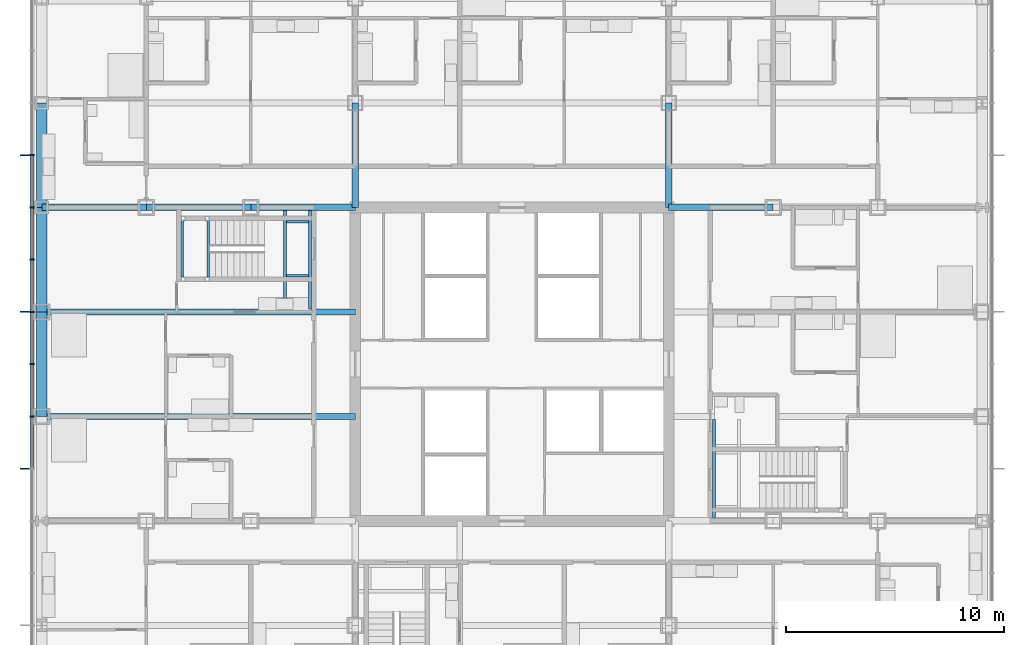
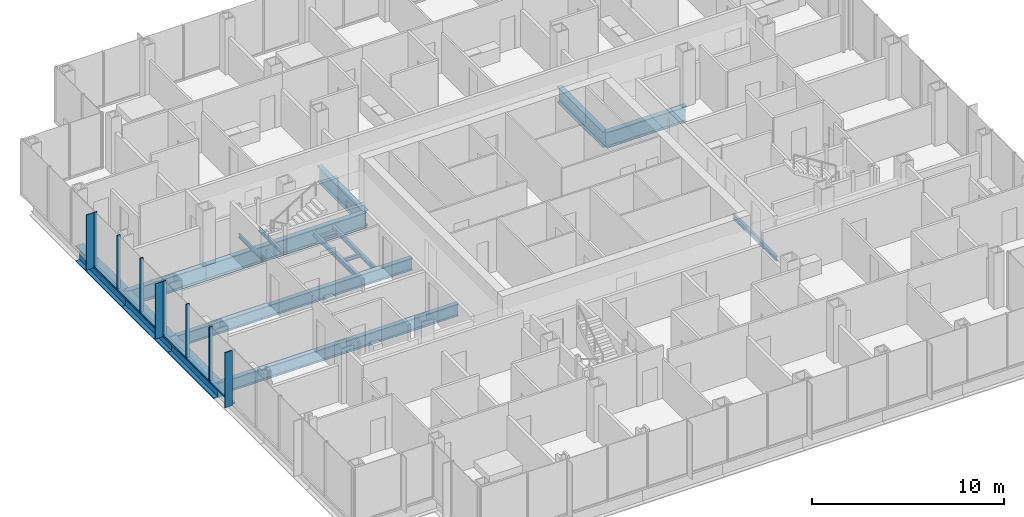
# One storey, part 8 of 21: 18 beams, 15 members, 1 element without a shape of its own.
"""IFC4 building model written with IfcOpenShell, lengths in metres."""

from ifc_helpers import new_model, si_unit, direction, frame, origin, origin_2d, place, context, subcontext, project, spatial, rectangle, i_section, extrude, material, material_profile, profile_set, type_object, element, aggregate, save


model = new_model("IFC4")

# Units and contexts
model_context = context("Model", 3, precision=1e-05, world=origin(), true_north=direction((0.0, 1.0)))
body_context = subcontext(model_context, "Body", "Model", "MODEL_VIEW")
ifc_project = project(units=[si_unit("LENGTHUNIT", "METRE"), si_unit("AREAUNIT", "SQUARE_METRE"), si_unit("VOLUMEUNIT", "CUBIC_METRE"), si_unit("PLANEANGLEUNIT", "RADIAN"), si_unit("MASSUNIT", "GRAM", prefix="KILO")], contexts=[model_context])

# Site, building, storey
site_placement = place(None, origin())
site = spatial("IfcSite", under=ifc_project, at=site_placement, CompositionType="ELEMENT")
building_placement = place(site_placement, origin())
building = spatial("IfcBuilding", under=site, at=building_placement, Name="Kvirike Care Tower", CompositionType="ELEMENT")
storey_placement = place(building_placement, frame((0.0, 0.0, 34.0)))
storey = spatial("IfcBuildingStorey", under=building, at=storey_placement, Name="L08", CompositionType="ELEMENT", Elevation=34.0)

# Curtain wall, members
ifc_material_1 = material(Name="Anodised aluminium stick system", Category="aluminium")
curtain_wall_type = type_object("IfcCurtainWallType", Name="CW-A STICK CURTAIN WALL", PredefinedType="NOTDEFINED", material=ifc_material_1)
curtain_wall_placement = place(storey_placement, origin())
curtain_wall = element("IfcCurtainWall", 1, at=curtain_wall_placement, inside=storey, type_object=curtain_wall_type, Name="Curtain wall L08 face 1", PredefinedType="NOTDEFINED")
ifc_material_2 = material(Name="Bronze anodised aluminium fin", Category="aluminium")
ifc_material_profile_1 = material_profile(ifc_material_2, rectangle(XDim=0.050048828125, YDim=0.449951171875, at=origin_2d()), Name="BRONZE FIN 450")
ifc_profile_set_1 = profile_set([ifc_material_profile_1], Name="Bronze anodised aluminium fin")
member_type_1 = type_object("IfcMemberType", Name="BRONZE FIN 450", PredefinedType="USERDEFINED", material=ifc_profile_set_1)
member_1_placement = place(storey_placement, frame((-0.77490234375, 45.60009765625, 0.0), z_axis=(0.0, 0.0, 1.0), x_axis=(0.0, -1.0, 0.0)))
member_1 = element("IfcMember", 2, at=member_1_placement, type_object=member_type_1, Name="Bronze fin L08 face 1.4", ObjectType="FIN", PredefinedType="USERDEFINED", context=body_context, shape_type="SweptSolid", body=[
    extrude(rectangle(XDim=0.050048828125, YDim=0.449951171875, at=origin_2d()), origin(), (0.0, 0.0, 1.0), 3.5),
])
member_2_placement = place(storey_placement, frame((-0.77490234375, 38.39990234375, 0.0), z_axis=(0.0, 0.0, 1.0), x_axis=(0.0, -1.0, 0.0)))
member_2 = element("IfcMember", 3, at=member_2_placement, type_object=member_type_1, Name="Bronze fin L08 face 1.7", ObjectType="FIN", PredefinedType="USERDEFINED", context=body_context, shape_type="SweptSolid", body=[
    extrude(rectangle(XDim=0.050048828125, YDim=0.449951171875, at=origin_2d()), origin(), (0.0, 0.0, 1.0), 3.5),
])
member_3_placement = place(storey_placement, frame((-0.77490234375, 31.199951171875, 0.0), z_axis=(0.0, 0.0, 1.0), x_axis=(0.0, -1.0, 0.0)))
member_3 = element("IfcMember", 4, at=member_3_placement, type_object=member_type_1, Name="Bronze fin L08 face 1.10", ObjectType="FIN", PredefinedType="USERDEFINED", context=body_context, shape_type="SweptSolid", body=[
    extrude(rectangle(XDim=0.050048828125, YDim=0.449951171875, at=origin_2d()), origin(), (0.0, 0.0, 1.0), 3.5),
])
ifc_material_3 = material(Name="Bronze anodised aluminium mullion", Category="aluminium")
ifc_material_profile_2 = material_profile(ifc_material_3, rectangle(XDim=0.06494140625, YDim=0.199951171875, at=origin_2d()), Name="CW-A MULLION 65x200")
ifc_profile_set_2 = profile_set([ifc_material_profile_2], Name="Bronze anodised aluminium mullion")
member_type_2 = type_object("IfcMemberType", Name="CW-A MULLION 65x200", PredefinedType="MULLION", material=ifc_profile_set_2)
member_4_placement = place(storey_placement, frame((-0.449951171875, 45.60009765625, 0.0), z_axis=(0.0, 0.0, 1.0), x_axis=(0.0, -1.0, 0.0)))
member_4 = element("IfcMember", 5, at=member_4_placement, type_object=member_type_2, Name="CW-A mullion L08 face 1.4", PredefinedType="MULLION", context=body_context, shape_type="SweptSolid", body=[
    extrude(rectangle(XDim=0.06494140625, YDim=0.199951171875, at=origin_2d()), origin(), (0.0, 0.0, 1.0), 3.5),
])
member_5_placement = place(storey_placement, frame((-0.449951171875, 43.199951171875, 0.0), z_axis=(0.0, 0.0, 1.0), x_axis=(0.0, -1.0, 0.0)))
member_5 = element("IfcMember", 6, at=member_5_placement, type_object=member_type_2, Name="CW-A mullion L08 face 1.5", PredefinedType="MULLION", context=body_context, shape_type="SweptSolid", body=[
    extrude(rectangle(XDim=0.06494140625, YDim=0.199951171875, at=origin_2d()), origin(), (0.0, 0.0, 1.0), 3.5),
])
member_6_placement = place(storey_placement, frame((-0.449951171875, 40.800048828125, 0.0), z_axis=(0.0, 0.0, 1.0), x_axis=(0.0, -1.0, 0.0)))
member_6 = element("IfcMember", 7, at=member_6_placement, type_object=member_type_2, Name="CW-A mullion L08 face 1.6", PredefinedType="MULLION", context=body_context, shape_type="SweptSolid", body=[
    extrude(rectangle(XDim=0.06494140625, YDim=0.199951171875, at=origin_2d()), origin(), (0.0, 0.0, 1.0), 3.5),
])
member_7_placement = place(storey_placement, frame((-0.449951171875, 38.39990234375, 0.0), z_axis=(0.0, 0.0, 1.0), x_axis=(0.0, -1.0, 0.0)))
member_7 = element("IfcMember", 8, at=member_7_placement, type_object=member_type_2, Name="CW-A mullion L08 face 1.7", PredefinedType="MULLION", context=body_context, shape_type="SweptSolid", body=[
    extrude(rectangle(XDim=0.06494140625, YDim=0.199951171875, at=origin_2d()), origin(), (0.0, 0.0, 1.0), 3.5),
])
member_8_placement = place(storey_placement, frame((-0.449951171875, 36.0, 0.0), z_axis=(0.0, 0.0, 1.0), x_axis=(0.0, -1.0, 0.0)))
member_8 = element("IfcMember", 9, at=member_8_placement, type_object=member_type_2, Name="CW-A mullion L08 face 1.8", PredefinedType="MULLION", context=body_context, shape_type="SweptSolid", body=[
    extrude(rectangle(XDim=0.06494140625, YDim=0.199951171875, at=origin_2d()), origin(), (0.0, 0.0, 1.0), 3.5),
])
member_9_placement = place(storey_placement, frame((-0.449951171875, 33.60009765625, 0.0), z_axis=(0.0, 0.0, 1.0), x_axis=(0.0, -1.0, 0.0)))
member_9 = element("IfcMember", 10, at=member_9_placement, type_object=member_type_2, Name="CW-A mullion L08 face 1.9", PredefinedType="MULLION", context=body_context, shape_type="SweptSolid", body=[
    extrude(rectangle(XDim=0.06494140625, YDim=0.199951171875, at=origin_2d()), origin(), (0.0, 0.0, 1.0), 3.5),
])
ifc_material_4 = material(Name="Bronze anodised aluminium transom", Category="aluminium")
ifc_material_profile_3 = material_profile(ifc_material_4, rectangle(XDim=0.199951171875, YDim=0.10009765625, at=origin_2d()), Name="CW-A TRANSOM 200x100")
ifc_profile_set_3 = profile_set([ifc_material_profile_3], Name="Bronze anodised aluminium transom")
member_type_3 = type_object("IfcMemberType", Name="CW-A TRANSOM 200x100", PredefinedType="USERDEFINED", material=ifc_profile_set_3)
member_10_placement = place(storey_placement, frame((-0.449951171875, 45.5673828125, 0.050048828125), z_axis=(0.0, -1.0, 0.0), x_axis=(1.0, 0.0, 0.0)))
member_10 = element("IfcMember", 11, at=member_10_placement, type_object=member_type_3, Name="CW-A sill transom L08 face 1.4", ObjectType="TRANSOM", PredefinedType="USERDEFINED", context=body_context, shape_type="SweptSolid", body=[
    extrude(rectangle(XDim=0.199951171875, YDim=0.10009765625, at=origin_2d()), origin(), (0.0, 0.0, 1.0), 2.3349609375),
])
member_11_placement = place(storey_placement, frame((-0.449951171875, 43.16748046875, 0.050048828125), z_axis=(0.0, -1.0, 0.0), x_axis=(1.0, 0.0, 0.0)))
member_11 = element("IfcMember", 12, at=member_11_placement, type_object=member_type_3, Name="CW-A sill transom L08 face 1.5", ObjectType="TRANSOM", PredefinedType="USERDEFINED", context=body_context, shape_type="SweptSolid", body=[
    extrude(rectangle(XDim=0.199951171875, YDim=0.10009765625, at=origin_2d()), origin(), (0.0, 0.0, 1.0), 2.3349609375),
])
member_12_placement = place(storey_placement, frame((-0.449951171875, 40.767578125, 0.050048828125), z_axis=(0.0, -1.0, 0.0), x_axis=(1.0, 0.0, 0.0)))
member_12 = element("IfcMember", 13, at=member_12_placement, type_object=member_type_3, Name="CW-A sill transom L08 face 1.6", ObjectType="TRANSOM", PredefinedType="USERDEFINED", context=body_context, shape_type="SweptSolid", body=[
    extrude(rectangle(XDim=0.199951171875, YDim=0.10009765625, at=origin_2d()), origin(), (0.0, 0.0, 1.0), 2.3349609375),
])
member_13_placement = place(storey_placement, frame((-0.449951171875, 38.367431640625, 0.050048828125), z_axis=(0.0, -1.0, 0.0), x_axis=(1.0, 0.0, 0.0)))
member_13 = element("IfcMember", 14, at=member_13_placement, type_object=member_type_3, Name="CW-A sill transom L08 face 1.7", ObjectType="TRANSOM", PredefinedType="USERDEFINED", context=body_context, shape_type="SweptSolid", body=[
    extrude(rectangle(XDim=0.199951171875, YDim=0.10009765625, at=origin_2d()), origin(), (0.0, 0.0, 1.0), 2.3349609375),
])
member_14_placement = place(storey_placement, frame((-0.449951171875, 35.967529296875, 0.050048828125), z_axis=(0.0, -1.0, 0.0), x_axis=(1.0, 0.0, 0.0)))
member_14 = element("IfcMember", 15, at=member_14_placement, type_object=member_type_3, Name="CW-A sill transom L08 face 1.8", ObjectType="TRANSOM", PredefinedType="USERDEFINED", context=body_context, shape_type="SweptSolid", body=[
    extrude(rectangle(XDim=0.199951171875, YDim=0.10009765625, at=origin_2d()), origin(), (0.0, 0.0, 1.0), 2.3349609375),
])
member_15_placement = place(storey_placement, frame((-0.449951171875, 33.5673828125, 0.050048828125), z_axis=(0.0, -1.0, 0.0), x_axis=(1.0, 0.0, 0.0)))
member_15 = element("IfcMember", 16, at=member_15_placement, type_object=member_type_3, Name="CW-A sill transom L08 face 1.9", ObjectType="TRANSOM", PredefinedType="USERDEFINED", context=body_context, shape_type="SweptSolid", body=[
    extrude(rectangle(XDim=0.199951171875, YDim=0.10009765625, at=origin_2d()), origin(), (0.0, 0.0, 1.0), 2.3349609375),
])
aggregate(curtain_wall, [member_4, member_1, member_5, member_6, member_7, member_2, member_8, member_9, member_3, member_10, member_11, member_12, member_13, member_14, member_15])

# Beams
ifc_material_5 = material(Name="Steel S355", Category="steel")
ifc_material_profile_4 = material_profile(ifc_material_5, i_section(OverallWidth=0.26806640625, OverallDepth=0.77001953125, WebThickness=0.015625, FlangeThickness=0.025390625, FilletRadius=0.01708984375, at=origin_2d()), Name="IPE 750x196")
ifc_profile_set_4 = profile_set([ifc_material_profile_4], Name="Steel S355")
beam_type_1 = type_object("IfcBeamType", Name="FLOOR BEAM IPE 750x196", PredefinedType="BEAM", material=ifc_profile_set_4)
for number, where, z_axis, x_axis, name in (
    (17, (0.0, 33.60009765625, -0.554931640625), (1.0, 0.0, 0.0), (0.0, 1.0, 0.0), "Floor Beam H3-H6 L08"),
    (18, (0.0, 38.39990234375, -0.554931640625), (1.0, 0.0, 0.0), (0.0, 1.0, 0.0), "Floor Beam J3-J6 L08"),
):
    element("IfcBeam", number, at=place(storey_placement, frame(where, z_axis=z_axis, x_axis=x_axis)), inside=storey, type_object=beam_type_1, Name=name, PredefinedType="BEAM", context=body_context, shape_type="SweptSolid", body=[
        extrude(i_section(OverallWidth=0.26806640625, OverallDepth=0.77001953125, WebThickness=0.015625, FlangeThickness=0.025390625, FilletRadius=0.01708984375, at=origin_2d()), origin(), (0.0, 0.0, 1.0), 14.39990234375),
    ])
ifc_material_6 = material(Name="Steel S355", Category="steel")
ifc_material_profile_5 = material_profile(ifc_material_6, i_section(OverallWidth=0.300048828125, OverallDepth=1.0, WebThickness=0.01904296875, FlangeThickness=0.035888671875, FilletRadius=0.030029296875, at=origin_2d()), Name="HE 1000 B")
ifc_profile_set_5 = profile_set([ifc_material_profile_5], Name="Steel S355")
beam_type_2 = type_object("IfcBeamType", Name="FRAME BEAM HE 1000 B", PredefinedType="BEAM", material=ifc_profile_set_5)
for number, where, z_axis, x_axis, name in (
    (19, (0.0, 43.199951171875, -0.669921875), (1.0, 0.0, 0.0), (0.0, 1.0, 0.0), "Frame Beam K3-K4 L08"),
    (20, (4.800048828125, 43.199951171875, -0.669921875), (1.0, 0.0, 0.0), (0.0, 1.0, 0.0), "Frame Beam K4-K5 L08"),
):
    element("IfcBeam", number, at=place(storey_placement, frame(where, z_axis=z_axis, x_axis=x_axis)), inside=storey, type_object=beam_type_2, Name=name, PredefinedType="BEAM", context=body_context, shape_type="SweptSolid", body=[
        extrude(i_section(OverallWidth=0.300048828125, OverallDepth=1.0, WebThickness=0.01904296875, FlangeThickness=0.035888671875, FilletRadius=0.030029296875, at=origin_2d()), origin(), (0.0, 0.0, 1.0), 4.800048828125),
    ])
beam_1_placement = place(storey_placement, frame((9.60009765625, 43.199951171875, -0.669921875), z_axis=(1.0, 0.0, 0.0), x_axis=(0.0, 1.0, 0.0)))
element("IfcBeam", 21, at=beam_1_placement, inside=storey, type_object=beam_type_2, Name="Frame Beam K5-K6 L08", PredefinedType="BEAM", context=body_context, shape_type="SweptSolid", body=[
    extrude(i_section(OverallWidth=0.300048828125, OverallDepth=1.0, WebThickness=0.01904296875, FlangeThickness=0.035888671875, FilletRadius=0.030029296875, at=origin_2d()), origin(), (0.0, 0.0, 1.0), 4.7998046875),
])
for number, where, z_axis, x_axis, name in (
    (22, (28.800048828125, 43.199951171875, -0.669921875), (1.0, 0.0, 0.0), (0.0, 1.0, 0.0), "Frame Beam K9-K10 L08"),
    (23, (14.39990234375, 43.199951171875, -0.669921875), (0.0, 1.0, 0.0), (-1.0, 0.0, 0.0), "Frame Beam K6-L6 L08"),
    (24, (28.800048828125, 43.199951171875, -0.669921875), (0.0, 1.0, 0.0), (-1.0, 0.0, 0.0), "Frame Beam K9-L9 L08"),
):
    element("IfcBeam", number, at=place(storey_placement, frame(where, z_axis=z_axis, x_axis=x_axis)), inside=storey, type_object=beam_type_2, Name=name, PredefinedType="BEAM", context=body_context, shape_type="SweptSolid", body=[
        extrude(i_section(OverallWidth=0.300048828125, OverallDepth=1.0, WebThickness=0.01904296875, FlangeThickness=0.035888671875, FilletRadius=0.030029296875, at=origin_2d()), origin(), (0.0, 0.0, 1.0), 4.800048828125),
    ])
ifc_material_7 = material(Name="Steel S355", Category="steel")
ifc_material_profile_6 = material_profile(ifc_material_7, i_section(OverallWidth=0.5, OverallDepth=1.0, WebThickness=0.030029296875, FlangeThickness=0.06005859375, at=origin_2d()), Name="PG 1000x500x30x60")
ifc_profile_set_6 = profile_set([ifc_material_profile_6], Name="Steel S355")
beam_type_3 = type_object("IfcBeamType", Name="SPANDREL PG 1000x500x30x60", PredefinedType="SPANDREL", material=ifc_profile_set_6)
beam_2_placement = place(storey_placement, frame((0.0, 33.60009765625, -0.669921875), z_axis=(0.0, 1.0, 0.0), x_axis=(-1.0, 0.0, 0.0)))
element("IfcBeam", 25, at=beam_2_placement, inside=storey, type_object=beam_type_3, Name="Spandrel H3-J3 L08", PredefinedType="SPANDREL", context=body_context, shape_type="SweptSolid", body=[
    extrude(i_section(OverallWidth=0.5, OverallDepth=1.0, WebThickness=0.030029296875, FlangeThickness=0.06005859375, at=origin_2d()), origin(), (0.0, 0.0, 1.0), 4.7998046875),
])
for number, where, z_axis, x_axis, name in (
    (26, (0.0, 38.39990234375, -0.669921875), (0.0, 1.0, 0.0), (-1.0, 0.0, 0.0), "Spandrel J3-K3 L08"),
    (27, (0.0, 43.199951171875, -0.669921875), (0.0, 1.0, 0.0), (-1.0, 0.0, 0.0), "Spandrel K3-L3 L08"),
):
    element("IfcBeam", number, at=place(storey_placement, frame(where, z_axis=z_axis, x_axis=x_axis)), inside=storey, type_object=beam_type_3, Name=name, PredefinedType="SPANDREL", context=body_context, shape_type="SweptSolid", body=[
        extrude(i_section(OverallWidth=0.5, OverallDepth=1.0, WebThickness=0.030029296875, FlangeThickness=0.06005859375, at=origin_2d()), origin(), (0.0, 0.0, 1.0), 4.800048828125),
    ])
ifc_material_8 = material(Name="Steel S355", Category="steel")
ifc_material_profile_7 = material_profile(ifc_material_8, i_section(OverallWidth=0.1201171875, OverallDepth=0.239990234375, WebThickness=0.006103515625, FlangeThickness=0.009765625, FilletRadius=0.014892578125, at=origin_2d()), Name="IPE 240")
ifc_profile_set_7 = profile_set([ifc_material_profile_7], Name="Steel S355")
beam_type_4 = type_object("IfcBeamType", Name="STAIR LANDING BEAM IPE 240", PredefinedType="BEAM", material=ifc_profile_set_7)
for number, where, z_axis, x_axis, name in (
    (28, (6.4599609375, 42.60009765625, 1.429931640625), (0.0, -1.0, 0.0), (1.0, 0.0, 0.0), "Stair 1 landing beam back L08"),
    (29, (7.639892578125, 42.60009765625, 1.429931640625), (0.0, -1.0, 0.0), (1.0, 0.0, 0.0), "Stair 1 landing beam front L08"),
):
    element("IfcBeam", number, at=place(storey_placement, frame(where, z_axis=z_axis, x_axis=x_axis)), inside=storey, type_object=beam_type_4, Name=name, PredefinedType="BEAM", context=body_context, shape_type="SweptSolid", body=[
        extrude(i_section(OverallWidth=0.1201171875, OverallDepth=0.239990234375, WebThickness=0.006103515625, FlangeThickness=0.009765625, FilletRadius=0.014892578125, at=origin_2d()), origin(), (0.0, 0.0, 1.0), 2.60009765625),
    ])
for number, where, z_axis, x_axis, name in (
    (30, (11.25, 42.5400390625, -0.320068359375), (1.0, 0.0, 0.0), (0.0, 1.0, 0.0), "Stair 1 landing edge beam 1 L08"),
    (31, (11.25, 40.06005859375, -0.320068359375), (1.0, 0.0, 0.0), (0.0, 1.0, 0.0), "Stair 1 landing edge beam 2 L08"),
):
    element("IfcBeam", number, at=place(storey_placement, frame(where, z_axis=z_axis, x_axis=x_axis)), inside=storey, type_object=beam_type_4, Name=name, PredefinedType="BEAM", context=body_context, shape_type="SweptSolid", body=[
        extrude(i_section(OverallWidth=0.1201171875, OverallDepth=0.239990234375, WebThickness=0.006103515625, FlangeThickness=0.009765625, FilletRadius=0.014892578125, at=origin_2d()), origin(), (0.0, 0.0, 1.0), 1.0),
    ])
ifc_material_9 = material(Name="Steel S355", Category="steel")
ifc_material_profile_8 = material_profile(ifc_material_9, i_section(OverallWidth=0.14990234375, OverallDepth=0.300048828125, WebThickness=0.007080078125, FlangeThickness=0.0107421875, FilletRadius=0.014892578125, at=origin_2d()), Name="IPE 300")
ifc_profile_set_8 = profile_set([ifc_material_profile_8], Name="Steel S355")
beam_type_5 = type_object("IfcBeamType", Name="STAIR TRIMMER IPE 300", PredefinedType="BEAM", material=ifc_profile_set_8)
for number, where, z_axis, x_axis, name in (
    (32, (11.175048828125, 43.050048828125, -0.35009765625), (0.0, -1.0, 0.0), (1.0, 0.0, 0.0), "Stair 1 trimmer 1 L08"),
    (33, (12.324951171875, 43.050048828125, -0.35009765625), (0.0, -1.0, 0.0), (1.0, 0.0, 0.0), "Stair 1 trimmer 2 L08"),
    (34, (30.875, 28.949951171875, -0.35009765625), (0.0, 1.0, 0.0), (-1.0, 0.0, 0.0), "Stair 2 trimmer 2 L08"),
):
    element("IfcBeam", number, at=place(storey_placement, frame(where, z_axis=z_axis, x_axis=x_axis)), inside=storey, type_object=beam_type_5, Name=name, PredefinedType="BEAM", context=body_context, shape_type="SweptSolid", body=[
        extrude(i_section(OverallWidth=0.14990234375, OverallDepth=0.300048828125, WebThickness=0.007080078125, FlangeThickness=0.0107421875, FilletRadius=0.014892578125, at=origin_2d()), origin(), (0.0, 0.0, 1.0), 4.51611328125),
    ])

save(model, "model.ifc")
